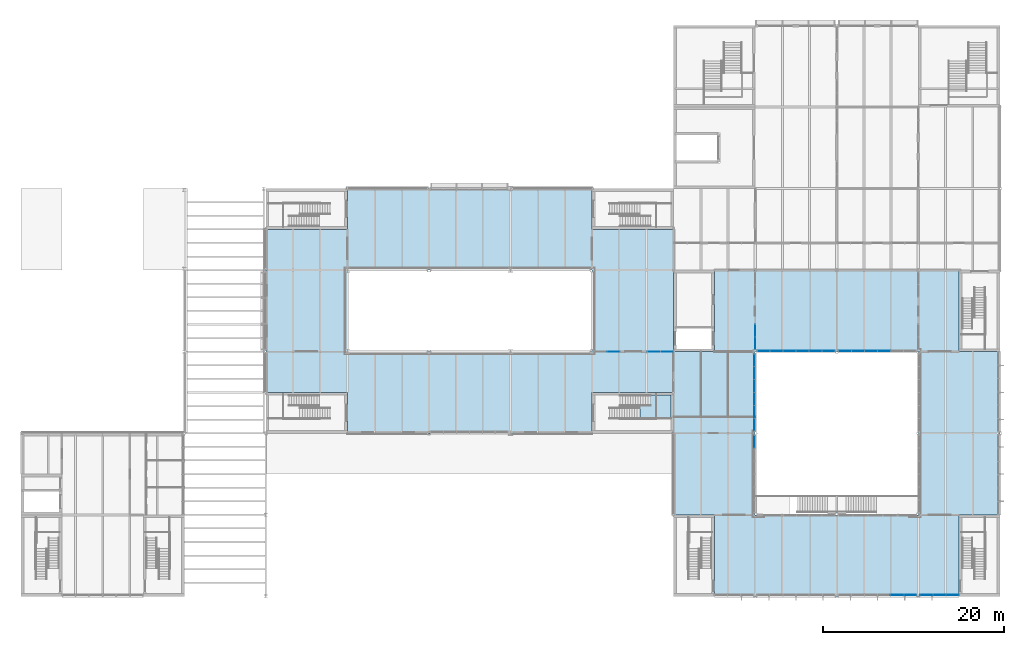
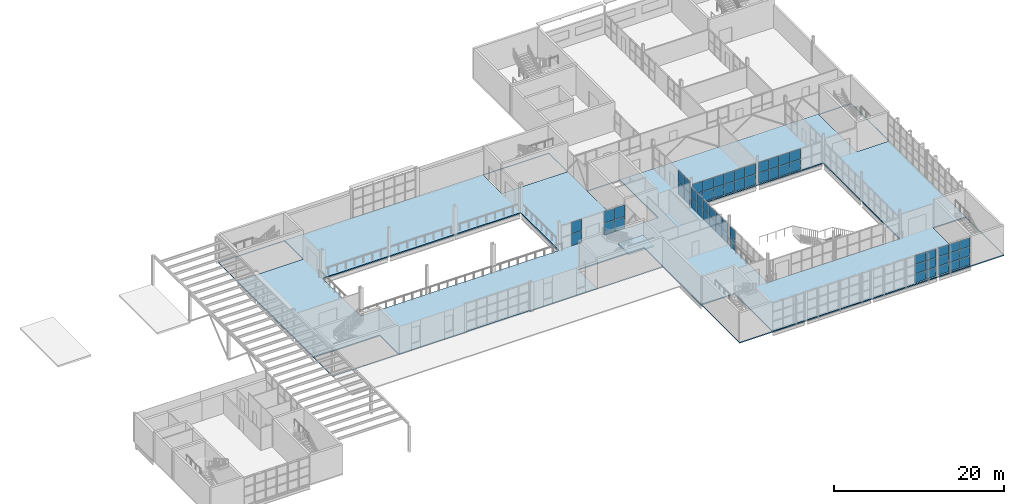
# One storey, part 29 of 57: 59 plates, 2 slabs, 10 elements without a shape of their own.
"""IFC4 building model written with IfcOpenShell, lengths in metres."""

from ifc_helpers import new_model, si_unit, direction, frame, origin, origin_2d, place, context, subcontext, project, spatial, polyline, rectangle, outline, extrude, material, layer, layer_set, type_object, element, aggregate, save


model = new_model("IFC4")

# Units and contexts
model_context = context("Model", 3, precision=1e-05, world=origin(), true_north=direction((0.0, 1.0)))
body_context = subcontext(model_context, "Body", "Model", "MODEL_VIEW")
ifc_project = project(units=[si_unit("LENGTHUNIT", "METRE"), si_unit("AREAUNIT", "SQUARE_METRE"), si_unit("VOLUMEUNIT", "CUBIC_METRE"), si_unit("PLANEANGLEUNIT", "RADIAN"), si_unit("MASSUNIT", "GRAM", prefix="KILO")], contexts=[model_context])

# Site, building, storey
site_placement = place(None, origin())
site = spatial("IfcSite", under=ifc_project, at=site_placement, CompositionType="ELEMENT")
building_placement = place(site_placement, origin())
building = spatial("IfcBuilding", under=site, at=building_placement, Name="Halyard Row Museum", CompositionType="ELEMENT")
storey_placement = place(building_placement, frame((0.0, 0.0, 5.0)))
storey = spatial("IfcBuildingStorey", under=building, at=storey_placement, Name="L01", CompositionType="ELEMENT", Elevation=5.0)

# Slab
ifc_material_1 = material(Name="Concrete 40 MPa", Category="concrete")
ifc_layer_1 = layer(ifc_material_1, 0.1650390625)
ifc_layer_set_1 = layer_set([ifc_layer_1], Name="Concrete 40 MPa")
slab_type_1 = type_object("IfcSlabType", Name="Composite floor slab", PredefinedType="FLOOR", material=ifc_layer_set_1)
slab_1_placement = place(storey_placement, frame((0.0, 0.0, -0.1650390625)))
element("IfcSlab", 1, at=slab_1_placement, inside=storey, type_object=slab_type_1, Name="Floor slab L01-02", PredefinedType="FLOOR", context=body_context, shape_type="SweptSolid", body=[
    extrude(outline(polyline([(27.0, 18.0), (72.0, 18.0), (72.0, 0.0), (108.0, 0.0), (108.0, 36.0), (72.0, 36.0), (72.0, 45.0), (27.0, 45.0), (27.0, 18.0)]), holes=[polyline([(81.0, 27.0), (99.0, 27.0), (99.0, 9.0), (81.0, 9.0), (81.0, 27.0)]), polyline([(36.0, 36.0), (63.0, 36.0), (63.0, 27.0), (36.0, 27.0), (36.0, 36.0)]), polyline([(27.0048828125, 18.0048828125), (27.0048828125, 22.4951171875), (35.9951171875, 22.4951171875), (35.9951171875, 18.0048828125), (27.0048828125, 18.0048828125)]), polyline([(63.0048828125, 18.0048828125), (63.0048828125, 22.4951171875), (71.9951171875, 22.4951171875), (71.9951171875, 18.0048828125), (63.0048828125, 18.0048828125)]), polyline([(27.0048828125, 40.5048828125), (27.0048828125, 44.9951171875), (35.9951171875, 44.9951171875), (35.9951171875, 40.5048828125), (27.0048828125, 40.5048828125)]), polyline([(63.0048828125, 40.5048828125), (63.0048828125, 44.9951171875), (71.9951171875, 44.9951171875), (71.9951171875, 40.5048828125), (63.0048828125, 40.5048828125)]), polyline([(76.4951171875, 0.0048828125), (72.0048828125, 0.0048828125), (72.0048828125, 8.9951171875), (76.4951171875, 8.9951171875), (76.4951171875, 0.0048828125)]), polyline([(103.5048828125, 0.0048828125), (103.5048828125, 8.9951171875), (107.9951171875, 8.9951171875), (107.9951171875, 0.0048828125), (103.5048828125, 0.0048828125)]), polyline([(72.0048828125, 27.0048828125), (72.0048828125, 35.9951171875), (76.4951171875, 35.9951171875), (76.4951171875, 27.0048828125), (72.0048828125, 27.0048828125)]), polyline([(103.5048828125, 27.0048828125), (103.5048828125, 35.9951171875), (107.9951171875, 35.9951171875), (107.9951171875, 27.0048828125), (103.5048828125, 27.0048828125)])]), origin(), (0.0, 0.0, 1.0), 0.1650390625),
])

# Curtain wall, plates
ifc_material_2 = material(Name="Double glazed unit, low-emissivity", Category="glass")
ifc_layer_2 = layer(ifc_material_2, 0.219970703125)
ifc_layer_set_2 = layer_set([ifc_layer_2], Name="Double glazed unit, low-emissivity")
curtain_wall_type_1 = type_object("IfcCurtainWallType", Name="Curtain wall unitised 220 deep", PredefinedType="NOTDEFINED", material=ifc_layer_set_2)
curtain_wall_1_placement = place(storey_placement, origin())
curtain_wall_1 = element("IfcCurtainWall", 2, at=curtain_wall_1_placement, inside=storey, type_object=curtain_wall_type_1, Name="Curtain wall CW026", PredefinedType="NOTDEFINED")
ifc_material_3 = material(Name="Double glazed unit, low-emissivity", Category="glass")
ifc_layer_3 = layer(ifc_material_3, 0.035888671875)
ifc_layer_set_3 = layer_set([ifc_layer_3], Name="Double glazed unit, low-emissivity")
plate_type_1 = type_object("IfcPlateType", Name="Curtain wall glazed panel CP3 36", PredefinedType="CURTAIN_PANEL", material=ifc_layer_set_3)
plate_1_placement = place(storey_placement, frame((96.675048828125, 0.159912109375, 0.06005859375), z_axis=(0.0, 0.0, 1.0), x_axis=(1.0, 0.0, 0.0)))
plate_1 = element("IfcPlate", 3, at=plate_1_placement, type_object=plate_type_1, Name="CW026 panel 5.1", PredefinedType="CURTAIN_PANEL", context=body_context, shape_type="SweptSolid", body=[
    extrude(rectangle(XDim=1.389892578125, YDim=0.035888671875, at=origin_2d()), origin(), (0.0, 0.0, 1.0), 1.2548828125),
])
plate_2_placement = place(storey_placement, frame((96.675048828125, 0.159912109375, 1.375), z_axis=(0.0, 0.0, 1.0), x_axis=(1.0, 0.0, 0.0)))
plate_2 = element("IfcPlate", 4, at=plate_2_placement, type_object=plate_type_1, Name="CW026 panel 5.2", PredefinedType="CURTAIN_PANEL", context=body_context, shape_type="SweptSolid", body=[
    extrude(rectangle(XDim=1.389892578125, YDim=0.035888671875, at=origin_2d()), origin(), (0.0, 0.0, 1.0), 1.284912109375),
])
plate_3_placement = place(storey_placement, frame((96.675048828125, 0.159912109375, 2.719970703125), z_axis=(0.0, 0.0, 1.0), x_axis=(1.0, 0.0, 0.0)))
plate_3 = element("IfcPlate", 5, at=plate_3_placement, type_object=plate_type_1, Name="CW026 panel 5.3", PredefinedType="CURTAIN_PANEL", context=body_context, shape_type="SweptSolid", body=[
    extrude(rectangle(XDim=1.389892578125, YDim=0.035888671875, at=origin_2d()), origin(), (0.0, 0.0, 1.0), 1.2548828125),
])
plate_4_placement = place(storey_placement, frame((98.110107421875, 0.159912109375, 0.06005859375), z_axis=(0.0, 0.0, 1.0), x_axis=(1.0, 0.0, 0.0)))
plate_4 = element("IfcPlate", 6, at=plate_4_placement, type_object=plate_type_1, Name="CW026 panel 6.1", PredefinedType="CURTAIN_PANEL", context=body_context, shape_type="SweptSolid", body=[
    extrude(rectangle(XDim=1.360107421875, YDim=0.035888671875, at=origin_2d()), origin(), (0.0, 0.0, 1.0), 1.2548828125),
])
plate_5_placement = place(storey_placement, frame((98.110107421875, 0.159912109375, 1.375), z_axis=(0.0, 0.0, 1.0), x_axis=(1.0, 0.0, 0.0)))
plate_5 = element("IfcPlate", 7, at=plate_5_placement, type_object=plate_type_1, Name="CW026 panel 6.2", PredefinedType="CURTAIN_PANEL", context=body_context, shape_type="SweptSolid", body=[
    extrude(rectangle(XDim=1.360107421875, YDim=0.035888671875, at=origin_2d()), origin(), (0.0, 0.0, 1.0), 1.284912109375),
])
plate_6_placement = place(storey_placement, frame((98.110107421875, 0.159912109375, 2.719970703125), z_axis=(0.0, 0.0, 1.0), x_axis=(1.0, 0.0, 0.0)))
plate_6 = element("IfcPlate", 8, at=plate_6_placement, type_object=plate_type_1, Name="CW026 panel 6.3", PredefinedType="CURTAIN_PANEL", context=body_context, shape_type="SweptSolid", body=[
    extrude(rectangle(XDim=1.360107421875, YDim=0.035888671875, at=origin_2d()), origin(), (0.0, 0.0, 1.0), 1.2548828125),
])
aggregate(curtain_wall_1, [plate_1, plate_2, plate_3, plate_4, plate_5, plate_6])

curtain_wall_2_placement = place(storey_placement, origin())
curtain_wall_2 = element("IfcCurtainWall", 9, at=curtain_wall_2_placement, inside=storey, type_object=curtain_wall_type_1, Name="Curtain wall CW027", PredefinedType="NOTDEFINED")
plate_7_placement = place(storey_placement, frame((99.889892578125, 0.159912109375, 0.06005859375), z_axis=(0.0, 0.0, 1.0), x_axis=(1.0, 0.0, 0.0)))
plate_7 = element("IfcPlate", 10, at=plate_7_placement, type_object=plate_type_1, Name="CW027 panel 1.1", PredefinedType="CURTAIN_PANEL", context=body_context, shape_type="SweptSolid", body=[
    extrude(rectangle(XDim=1.360107421875, YDim=0.035888671875, at=origin_2d()), origin(), (0.0, 0.0, 1.0), 1.2548828125),
])
plate_8_placement = place(storey_placement, frame((99.889892578125, 0.159912109375, 1.375), z_axis=(0.0, 0.0, 1.0), x_axis=(1.0, 0.0, 0.0)))
plate_8 = element("IfcPlate", 11, at=plate_8_placement, type_object=plate_type_1, Name="CW027 panel 1.2", PredefinedType="CURTAIN_PANEL", context=body_context, shape_type="SweptSolid", body=[
    extrude(rectangle(XDim=1.360107421875, YDim=0.035888671875, at=origin_2d()), origin(), (0.0, 0.0, 1.0), 1.284912109375),
])
plate_9_placement = place(storey_placement, frame((99.889892578125, 0.159912109375, 2.719970703125), z_axis=(0.0, 0.0, 1.0), x_axis=(1.0, 0.0, 0.0)))
plate_9 = element("IfcPlate", 12, at=plate_9_placement, type_object=plate_type_1, Name="CW027 panel 1.3", PredefinedType="CURTAIN_PANEL", context=body_context, shape_type="SweptSolid", body=[
    extrude(rectangle(XDim=1.360107421875, YDim=0.035888671875, at=origin_2d()), origin(), (0.0, 0.0, 1.0), 1.2548828125),
])
plate_10_placement = place(storey_placement, frame((101.324951171875, 0.159912109375, 0.06005859375), z_axis=(0.0, 0.0, 1.0), x_axis=(1.0, 0.0, 0.0)))
plate_10 = element("IfcPlate", 13, at=plate_10_placement, type_object=plate_type_1, Name="CW027 panel 2.1", PredefinedType="CURTAIN_PANEL", context=body_context, shape_type="SweptSolid", body=[
    extrude(rectangle(XDim=1.389892578125, YDim=0.035888671875, at=origin_2d()), origin(), (0.0, 0.0, 1.0), 1.2548828125),
])
plate_11_placement = place(storey_placement, frame((101.324951171875, 0.159912109375, 1.375), z_axis=(0.0, 0.0, 1.0), x_axis=(1.0, 0.0, 0.0)))
plate_11 = element("IfcPlate", 14, at=plate_11_placement, type_object=plate_type_1, Name="CW027 panel 2.2", PredefinedType="CURTAIN_PANEL", context=body_context, shape_type="SweptSolid", body=[
    extrude(rectangle(XDim=1.389892578125, YDim=0.035888671875, at=origin_2d()), origin(), (0.0, 0.0, 1.0), 1.284912109375),
])
plate_12_placement = place(storey_placement, frame((101.324951171875, 0.159912109375, 2.719970703125), z_axis=(0.0, 0.0, 1.0), x_axis=(1.0, 0.0, 0.0)))
plate_12 = element("IfcPlate", 15, at=plate_12_placement, type_object=plate_type_1, Name="CW027 panel 2.3", PredefinedType="CURTAIN_PANEL", context=body_context, shape_type="SweptSolid", body=[
    extrude(rectangle(XDim=1.389892578125, YDim=0.035888671875, at=origin_2d()), origin(), (0.0, 0.0, 1.0), 1.2548828125),
])
plate_13_placement = place(storey_placement, frame((102.760009765625, 0.159912109375, 0.06005859375), z_axis=(0.0, 0.0, 1.0), x_axis=(1.0, 0.0, 0.0)))
plate_13 = element("IfcPlate", 16, at=plate_13_placement, type_object=plate_type_1, Name="CW027 panel 3.1", PredefinedType="CURTAIN_PANEL", context=body_context, shape_type="SweptSolid", body=[
    extrude(rectangle(XDim=1.360107421875, YDim=0.035888671875, at=origin_2d()), origin(), (0.0, 0.0, 1.0), 1.2548828125),
])
plate_14_placement = place(storey_placement, frame((102.760009765625, 0.159912109375, 1.375), z_axis=(0.0, 0.0, 1.0), x_axis=(1.0, 0.0, 0.0)))
plate_14 = element("IfcPlate", 17, at=plate_14_placement, type_object=plate_type_1, Name="CW027 panel 3.2", PredefinedType="CURTAIN_PANEL", context=body_context, shape_type="SweptSolid", body=[
    extrude(rectangle(XDim=1.360107421875, YDim=0.035888671875, at=origin_2d()), origin(), (0.0, 0.0, 1.0), 1.284912109375),
])
plate_15_placement = place(storey_placement, frame((102.760009765625, 0.159912109375, 2.719970703125), z_axis=(0.0, 0.0, 1.0), x_axis=(1.0, 0.0, 0.0)))
plate_15 = element("IfcPlate", 18, at=plate_15_placement, type_object=plate_type_1, Name="CW027 panel 3.3", PredefinedType="CURTAIN_PANEL", context=body_context, shape_type="SweptSolid", body=[
    extrude(rectangle(XDim=1.360107421875, YDim=0.035888671875, at=origin_2d()), origin(), (0.0, 0.0, 1.0), 1.2548828125),
])
aggregate(curtain_wall_2, [plate_7, plate_8, plate_9, plate_10, plate_11, plate_12, plate_13, plate_14, plate_15])

ifc_material_4 = material(Name="Fire-resisting laminated glazing", Category="glass")
ifc_layer_4 = layer(ifc_material_4, 0.159912109375)
ifc_layer_set_4 = layer_set([ifc_layer_4], Name="Fire-resisting laminated glazing")
curtain_wall_type_2 = type_object("IfcCurtainWallType", Name="Curtain wall atrium screen 160 deep", PredefinedType="NOTDEFINED", material=ifc_layer_set_4)
curtain_wall_3_placement = place(storey_placement, origin())
curtain_wall_3 = element("IfcCurtainWall", 19, at=curtain_wall_3_placement, inside=storey, type_object=curtain_wall_type_2, Name="Curtain wall CW080", PredefinedType="NOTDEFINED")
ifc_material_5 = material(Name="Fire-resisting laminated glazing", Category="glass")
ifc_layer_5 = layer(ifc_material_5, 0.0400390625)
ifc_layer_set_5 = layer_set([ifc_layer_5], Name="Fire-resisting laminated glazing")
plate_type_2 = type_object("IfcPlateType", Name="Curtain wall glazed panel CP5 40", PredefinedType="CURTAIN_PANEL", material=ifc_layer_set_5)
plate_16_placement = place(storey_placement, frame((95.20556640625, 27.080078125, 0.06005859375), z_axis=(0.0, 0.0, 1.0), x_axis=(-1.0, 0.0, 0.0)))
plate_16 = element("IfcPlate", 20, at=plate_16_placement, type_object=plate_type_2, Name="CW080 panel 3.1", PredefinedType="CURTAIN_PANEL", context=body_context, shape_type="SweptSolid", body=[
    extrude(rectangle(XDim=1.37646484375, YDim=0.0400390625, at=origin_2d()), origin(), (0.0, 0.0, 1.0), 1.47216796875),
])
plate_17_placement = place(storey_placement, frame((95.20556640625, 27.080078125, 1.59228515625), z_axis=(0.0, 0.0, 1.0), x_axis=(-1.0, 0.0, 0.0)))
plate_17 = element("IfcPlate", 21, at=plate_17_placement, type_object=plate_type_2, Name="CW080 panel 3.2", PredefinedType="CURTAIN_PANEL", context=body_context, shape_type="SweptSolid", body=[
    extrude(rectangle(XDim=1.37646484375, YDim=0.0400390625, at=origin_2d()), origin(), (0.0, 0.0, 1.0), 1.47216796875),
])
plate_18_placement = place(storey_placement, frame((93.76904296875, 27.080078125, 0.06005859375), z_axis=(0.0, 0.0, 1.0), x_axis=(-1.0, 0.0, 0.0)))
plate_18 = element("IfcPlate", 22, at=plate_18_placement, type_object=plate_type_2, Name="CW080 panel 4.1", PredefinedType="CURTAIN_PANEL", context=body_context, shape_type="SweptSolid", body=[
    extrude(rectangle(XDim=1.37646484375, YDim=0.0400390625, at=origin_2d()), origin(), (0.0, 0.0, 1.0), 1.47216796875),
])
plate_19_placement = place(storey_placement, frame((93.76904296875, 27.080078125, 1.59228515625), z_axis=(0.0, 0.0, 1.0), x_axis=(-1.0, 0.0, 0.0)))
plate_19 = element("IfcPlate", 23, at=plate_19_placement, type_object=plate_type_2, Name="CW080 panel 4.2", PredefinedType="CURTAIN_PANEL", context=body_context, shape_type="SweptSolid", body=[
    extrude(rectangle(XDim=1.37646484375, YDim=0.0400390625, at=origin_2d()), origin(), (0.0, 0.0, 1.0), 1.47216796875),
])
plate_20_placement = place(storey_placement, frame((92.33251953125, 27.080078125, 0.06005859375), z_axis=(0.0, 0.0, 1.0), x_axis=(-1.0, 0.0, 0.0)))
plate_20 = element("IfcPlate", 24, at=plate_20_placement, type_object=plate_type_2, Name="CW080 panel 5.1", PredefinedType="CURTAIN_PANEL", context=body_context, shape_type="SweptSolid", body=[
    extrude(rectangle(XDim=1.37646484375, YDim=0.0400390625, at=origin_2d()), origin(), (0.0, 0.0, 1.0), 1.47216796875),
])
plate_21_placement = place(storey_placement, frame((92.33251953125, 27.080078125, 1.59228515625), z_axis=(0.0, 0.0, 1.0), x_axis=(-1.0, 0.0, 0.0)))
plate_21 = element("IfcPlate", 25, at=plate_21_placement, type_object=plate_type_2, Name="CW080 panel 5.2", PredefinedType="CURTAIN_PANEL", context=body_context, shape_type="SweptSolid", body=[
    extrude(rectangle(XDim=1.37646484375, YDim=0.0400390625, at=origin_2d()), origin(), (0.0, 0.0, 1.0), 1.47216796875),
])
plate_22_placement = place(storey_placement, frame((90.9111328125, 27.080078125, 0.06005859375), z_axis=(0.0, 0.0, 1.0), x_axis=(-1.0, 0.0, 0.0)))
plate_22 = element("IfcPlate", 26, at=plate_22_placement, type_object=plate_type_2, Name="CW080 panel 6.1", PredefinedType="CURTAIN_PANEL", context=body_context, shape_type="SweptSolid", body=[
    extrude(rectangle(XDim=1.346435546875, YDim=0.0400390625, at=origin_2d()), origin(), (0.0, 0.0, 1.0), 1.47216796875),
])
plate_23_placement = place(storey_placement, frame((90.9111328125, 27.080078125, 1.59228515625), z_axis=(0.0, 0.0, 1.0), x_axis=(-1.0, 0.0, 0.0)))
plate_23 = element("IfcPlate", 27, at=plate_23_placement, type_object=plate_type_2, Name="CW080 panel 6.2", PredefinedType="CURTAIN_PANEL", context=body_context, shape_type="SweptSolid", body=[
    extrude(rectangle(XDim=1.346435546875, YDim=0.0400390625, at=origin_2d()), origin(), (0.0, 0.0, 1.0), 1.47216796875),
])
aggregate(curtain_wall_3, [plate_16, plate_17, plate_18, plate_19, plate_20, plate_21, plate_22, plate_23])

curtain_wall_4_placement = place(storey_placement, origin())
curtain_wall_4 = element("IfcCurtainWall", 28, at=curtain_wall_4_placement, inside=storey, type_object=curtain_wall_type_2, Name="Curtain wall CW081", PredefinedType="NOTDEFINED")
plate_24_placement = place(storey_placement, frame((89.0888671875, 27.080078125, 0.06005859375), z_axis=(0.0, 0.0, 1.0), x_axis=(-1.0, 0.0, 0.0)))
plate_24 = element("IfcPlate", 29, at=plate_24_placement, type_object=plate_type_2, Name="CW081 panel 1.1", PredefinedType="CURTAIN_PANEL", context=body_context, shape_type="SweptSolid", body=[
    extrude(rectangle(XDim=1.346435546875, YDim=0.0400390625, at=origin_2d()), origin(), (0.0, 0.0, 1.0), 1.47216796875),
])
plate_25_placement = place(storey_placement, frame((89.0888671875, 27.080078125, 1.59228515625), z_axis=(0.0, 0.0, 1.0), x_axis=(-1.0, 0.0, 0.0)))
plate_25 = element("IfcPlate", 30, at=plate_25_placement, type_object=plate_type_2, Name="CW081 panel 1.2", PredefinedType="CURTAIN_PANEL", context=body_context, shape_type="SweptSolid", body=[
    extrude(rectangle(XDim=1.346435546875, YDim=0.0400390625, at=origin_2d()), origin(), (0.0, 0.0, 1.0), 1.47216796875),
])
plate_26_placement = place(storey_placement, frame((87.66748046875, 27.080078125, 0.06005859375), z_axis=(0.0, 0.0, 1.0), x_axis=(-1.0, 0.0, 0.0)))
plate_26 = element("IfcPlate", 31, at=plate_26_placement, type_object=plate_type_2, Name="CW081 panel 2.1", PredefinedType="CURTAIN_PANEL", context=body_context, shape_type="SweptSolid", body=[
    extrude(rectangle(XDim=1.37646484375, YDim=0.0400390625, at=origin_2d()), origin(), (0.0, 0.0, 1.0), 1.47216796875),
])
plate_27_placement = place(storey_placement, frame((87.66748046875, 27.080078125, 1.59228515625), z_axis=(0.0, 0.0, 1.0), x_axis=(-1.0, 0.0, 0.0)))
plate_27 = element("IfcPlate", 32, at=plate_27_placement, type_object=plate_type_2, Name="CW081 panel 2.2", PredefinedType="CURTAIN_PANEL", context=body_context, shape_type="SweptSolid", body=[
    extrude(rectangle(XDim=1.37646484375, YDim=0.0400390625, at=origin_2d()), origin(), (0.0, 0.0, 1.0), 1.47216796875),
])
plate_28_placement = place(storey_placement, frame((86.23095703125, 27.080078125, 0.06005859375), z_axis=(0.0, 0.0, 1.0), x_axis=(-1.0, 0.0, 0.0)))
plate_28 = element("IfcPlate", 33, at=plate_28_placement, type_object=plate_type_2, Name="CW081 panel 3.1", PredefinedType="CURTAIN_PANEL", context=body_context, shape_type="SweptSolid", body=[
    extrude(rectangle(XDim=1.37646484375, YDim=0.0400390625, at=origin_2d()), origin(), (0.0, 0.0, 1.0), 1.47216796875),
])
plate_29_placement = place(storey_placement, frame((86.23095703125, 27.080078125, 1.59228515625), z_axis=(0.0, 0.0, 1.0), x_axis=(-1.0, 0.0, 0.0)))
plate_29 = element("IfcPlate", 34, at=plate_29_placement, type_object=plate_type_2, Name="CW081 panel 3.2", PredefinedType="CURTAIN_PANEL", context=body_context, shape_type="SweptSolid", body=[
    extrude(rectangle(XDim=1.37646484375, YDim=0.0400390625, at=origin_2d()), origin(), (0.0, 0.0, 1.0), 1.47216796875),
])
plate_30_placement = place(storey_placement, frame((84.79443359375, 27.080078125, 0.06005859375), z_axis=(0.0, 0.0, 1.0), x_axis=(-1.0, 0.0, 0.0)))
plate_30 = element("IfcPlate", 35, at=plate_30_placement, type_object=plate_type_2, Name="CW081 panel 4.1", PredefinedType="CURTAIN_PANEL", context=body_context, shape_type="SweptSolid", body=[
    extrude(rectangle(XDim=1.37646484375, YDim=0.0400390625, at=origin_2d()), origin(), (0.0, 0.0, 1.0), 1.47216796875),
])
plate_31_placement = place(storey_placement, frame((84.79443359375, 27.080078125, 1.59228515625), z_axis=(0.0, 0.0, 1.0), x_axis=(-1.0, 0.0, 0.0)))
plate_31 = element("IfcPlate", 36, at=plate_31_placement, type_object=plate_type_2, Name="CW081 panel 4.2", PredefinedType="CURTAIN_PANEL", context=body_context, shape_type="SweptSolid", body=[
    extrude(rectangle(XDim=1.37646484375, YDim=0.0400390625, at=origin_2d()), origin(), (0.0, 0.0, 1.0), 1.47216796875),
])
plate_32_placement = place(storey_placement, frame((83.35791015625, 27.080078125, 0.06005859375), z_axis=(0.0, 0.0, 1.0), x_axis=(-1.0, 0.0, 0.0)))
plate_32 = element("IfcPlate", 37, at=plate_32_placement, type_object=plate_type_2, Name="CW081 panel 5.1", PredefinedType="CURTAIN_PANEL", context=body_context, shape_type="SweptSolid", body=[
    extrude(rectangle(XDim=1.37646484375, YDim=0.0400390625, at=origin_2d()), origin(), (0.0, 0.0, 1.0), 1.47216796875),
])
plate_33_placement = place(storey_placement, frame((83.35791015625, 27.080078125, 1.59228515625), z_axis=(0.0, 0.0, 1.0), x_axis=(-1.0, 0.0, 0.0)))
plate_33 = element("IfcPlate", 38, at=plate_33_placement, type_object=plate_type_2, Name="CW081 panel 5.2", PredefinedType="CURTAIN_PANEL", context=body_context, shape_type="SweptSolid", body=[
    extrude(rectangle(XDim=1.37646484375, YDim=0.0400390625, at=origin_2d()), origin(), (0.0, 0.0, 1.0), 1.47216796875),
])
plate_34_placement = place(storey_placement, frame((81.9365234375, 27.080078125, 0.06005859375), z_axis=(0.0, 0.0, 1.0), x_axis=(-1.0, 0.0, 0.0)))
plate_34 = element("IfcPlate", 39, at=plate_34_placement, type_object=plate_type_2, Name="CW081 panel 6.1", PredefinedType="CURTAIN_PANEL", context=body_context, shape_type="SweptSolid", body=[
    extrude(rectangle(XDim=1.346435546875, YDim=0.0400390625, at=origin_2d()), origin(), (0.0, 0.0, 1.0), 1.47216796875),
])
plate_35_placement = place(storey_placement, frame((81.9365234375, 27.080078125, 1.59228515625), z_axis=(0.0, 0.0, 1.0), x_axis=(-1.0, 0.0, 0.0)))
plate_35 = element("IfcPlate", 40, at=plate_35_placement, type_object=plate_type_2, Name="CW081 panel 6.2", PredefinedType="CURTAIN_PANEL", context=body_context, shape_type="SweptSolid", body=[
    extrude(rectangle(XDim=1.346435546875, YDim=0.0400390625, at=origin_2d()), origin(), (0.0, 0.0, 1.0), 1.47216796875),
])
aggregate(curtain_wall_4, [plate_24, plate_25, plate_26, plate_27, plate_28, plate_29, plate_30, plate_31, plate_32, plate_33, plate_34, plate_35])

curtain_wall_5_placement = place(storey_placement, origin())
curtain_wall_5 = element("IfcCurtainWall", 41, at=curtain_wall_5_placement, inside=storey, type_object=curtain_wall_type_2, Name="Curtain wall CW082", PredefinedType="NOTDEFINED")
plate_36_placement = place(storey_placement, frame((80.919921875, 26.065673828125, 0.06005859375), z_axis=(0.0, 0.0, 1.0), x_axis=(0.0, -1.0, 0.0)))
plate_36 = element("IfcPlate", 42, at=plate_36_placement, type_object=plate_type_2, Name="CW082 panel 1.1", PredefinedType="CURTAIN_PANEL", context=body_context, shape_type="SweptSolid", body=[
    extrude(rectangle(XDim=1.34228515625, YDim=0.0400390625, at=origin_2d()), origin(), (0.0, 0.0, 1.0), 1.402587890625),
])
plate_37_placement = place(storey_placement, frame((80.919921875, 26.065673828125, 1.5224609375), z_axis=(0.0, 0.0, 1.0), x_axis=(0.0, -1.0, 0.0)))
plate_37 = element("IfcPlate", 43, at=plate_37_placement, type_object=plate_type_2, Name="CW082 panel 1.2", PredefinedType="CURTAIN_PANEL", context=body_context, shape_type="SweptSolid", body=[
    extrude(rectangle(XDim=1.34228515625, YDim=0.0400390625, at=origin_2d()), origin(), (0.0, 0.0, 1.0), 1.402587890625),
])
plate_38_placement = place(storey_placement, frame((80.919921875, 24.6484375, 0.06005859375), z_axis=(0.0, 0.0, 1.0), x_axis=(0.0, -1.0, 0.0)))
plate_38 = element("IfcPlate", 44, at=plate_38_placement, type_object=plate_type_2, Name="CW082 panel 2.1", PredefinedType="CURTAIN_PANEL", context=body_context, shape_type="SweptSolid", body=[
    extrude(rectangle(XDim=1.372314453125, YDim=0.0400390625, at=origin_2d()), origin(), (0.0, 0.0, 1.0), 1.402587890625),
])
plate_39_placement = place(storey_placement, frame((80.919921875, 24.6484375, 1.5224609375), z_axis=(0.0, 0.0, 1.0), x_axis=(0.0, -1.0, 0.0)))
plate_39 = element("IfcPlate", 45, at=plate_39_placement, type_object=plate_type_2, Name="CW082 panel 2.2", PredefinedType="CURTAIN_PANEL", context=body_context, shape_type="SweptSolid", body=[
    extrude(rectangle(XDim=1.372314453125, YDim=0.0400390625, at=origin_2d()), origin(), (0.0, 0.0, 1.0), 1.402587890625),
])
plate_40_placement = place(storey_placement, frame((80.919921875, 23.216064453125, 0.06005859375), z_axis=(0.0, 0.0, 1.0), x_axis=(0.0, -1.0, 0.0)))
plate_40 = element("IfcPlate", 46, at=plate_40_placement, type_object=plate_type_2, Name="CW082 panel 3.1", PredefinedType="CURTAIN_PANEL", context=body_context, shape_type="SweptSolid", body=[
    extrude(rectangle(XDim=1.372314453125, YDim=0.0400390625, at=origin_2d()), origin(), (0.0, 0.0, 1.0), 1.402587890625),
])
plate_41_placement = place(storey_placement, frame((80.919921875, 23.216064453125, 1.5224609375), z_axis=(0.0, 0.0, 1.0), x_axis=(0.0, -1.0, 0.0)))
plate_41 = element("IfcPlate", 47, at=plate_41_placement, type_object=plate_type_2, Name="CW082 panel 3.2", PredefinedType="CURTAIN_PANEL", context=body_context, shape_type="SweptSolid", body=[
    extrude(rectangle(XDim=1.372314453125, YDim=0.0400390625, at=origin_2d()), origin(), (0.0, 0.0, 1.0), 1.402587890625),
])
plate_42_placement = place(storey_placement, frame((80.919921875, 21.783935546875, 0.06005859375), z_axis=(0.0, 0.0, 1.0), x_axis=(0.0, -1.0, 0.0)))
plate_42 = element("IfcPlate", 48, at=plate_42_placement, type_object=plate_type_2, Name="CW082 panel 4.1", PredefinedType="CURTAIN_PANEL", context=body_context, shape_type="SweptSolid", body=[
    extrude(rectangle(XDim=1.372314453125, YDim=0.0400390625, at=origin_2d()), origin(), (0.0, 0.0, 1.0), 1.402587890625),
])
plate_43_placement = place(storey_placement, frame((80.919921875, 21.783935546875, 1.5224609375), z_axis=(0.0, 0.0, 1.0), x_axis=(0.0, -1.0, 0.0)))
plate_43 = element("IfcPlate", 49, at=plate_43_placement, type_object=plate_type_2, Name="CW082 panel 4.2", PredefinedType="CURTAIN_PANEL", context=body_context, shape_type="SweptSolid", body=[
    extrude(rectangle(XDim=1.372314453125, YDim=0.0400390625, at=origin_2d()), origin(), (0.0, 0.0, 1.0), 1.402587890625),
])
plate_44_placement = place(storey_placement, frame((80.919921875, 20.3515625, 0.06005859375), z_axis=(0.0, 0.0, 1.0), x_axis=(0.0, -1.0, 0.0)))
plate_44 = element("IfcPlate", 50, at=plate_44_placement, type_object=plate_type_2, Name="CW082 panel 5.1", PredefinedType="CURTAIN_PANEL", context=body_context, shape_type="SweptSolid", body=[
    extrude(rectangle(XDim=1.372314453125, YDim=0.0400390625, at=origin_2d()), origin(), (0.0, 0.0, 1.0), 1.402587890625),
])
plate_45_placement = place(storey_placement, frame((80.919921875, 20.3515625, 1.5224609375), z_axis=(0.0, 0.0, 1.0), x_axis=(0.0, -1.0, 0.0)))
plate_45 = element("IfcPlate", 51, at=plate_45_placement, type_object=plate_type_2, Name="CW082 panel 5.2", PredefinedType="CURTAIN_PANEL", context=body_context, shape_type="SweptSolid", body=[
    extrude(rectangle(XDim=1.372314453125, YDim=0.0400390625, at=origin_2d()), origin(), (0.0, 0.0, 1.0), 1.402587890625),
])
plate_46_placement = place(storey_placement, frame((80.919921875, 18.934326171875, 0.06005859375), z_axis=(0.0, 0.0, 1.0), x_axis=(0.0, -1.0, 0.0)))
plate_46 = element("IfcPlate", 52, at=plate_46_placement, type_object=plate_type_2, Name="CW082 panel 6.1", PredefinedType="CURTAIN_PANEL", context=body_context, shape_type="SweptSolid", body=[
    extrude(rectangle(XDim=1.34228515625, YDim=0.0400390625, at=origin_2d()), origin(), (0.0, 0.0, 1.0), 1.402587890625),
])
plate_47_placement = place(storey_placement, frame((80.919921875, 18.934326171875, 1.5224609375), z_axis=(0.0, 0.0, 1.0), x_axis=(0.0, -1.0, 0.0)))
plate_47 = element("IfcPlate", 53, at=plate_47_placement, type_object=plate_type_2, Name="CW082 panel 6.2", PredefinedType="CURTAIN_PANEL", context=body_context, shape_type="SweptSolid", body=[
    extrude(rectangle(XDim=1.34228515625, YDim=0.0400390625, at=origin_2d()), origin(), (0.0, 0.0, 1.0), 1.402587890625),
])
aggregate(curtain_wall_5, [plate_36, plate_37, plate_38, plate_39, plate_40, plate_41, plate_42, plate_43, plate_44, plate_45, plate_46, plate_47])

curtain_wall_6_placement = place(storey_placement, origin())
curtain_wall_6 = element("IfcCurtainWall", 54, at=curtain_wall_6_placement, inside=storey, type_object=curtain_wall_type_2, Name="Curtain wall CW083", PredefinedType="NOTDEFINED")
plate_48_placement = place(storey_placement, frame((80.919921875, 17.065673828125, 0.06005859375), z_axis=(0.0, 0.0, 1.0), x_axis=(0.0, -1.0, 0.0)))
plate_48 = element("IfcPlate", 55, at=plate_48_placement, type_object=plate_type_2, Name="CW083 panel 1.1", PredefinedType="CURTAIN_PANEL", context=body_context, shape_type="SweptSolid", body=[
    extrude(rectangle(XDim=1.34228515625, YDim=0.0400390625, at=origin_2d()), origin(), (0.0, 0.0, 1.0), 1.402587890625),
])
plate_49_placement = place(storey_placement, frame((80.919921875, 17.065673828125, 1.5224609375), z_axis=(0.0, 0.0, 1.0), x_axis=(0.0, -1.0, 0.0)))
plate_49 = element("IfcPlate", 56, at=plate_49_placement, type_object=plate_type_2, Name="CW083 panel 1.2", PredefinedType="CURTAIN_PANEL", context=body_context, shape_type="SweptSolid", body=[
    extrude(rectangle(XDim=1.34228515625, YDim=0.0400390625, at=origin_2d()), origin(), (0.0, 0.0, 1.0), 1.402587890625),
])
aggregate(curtain_wall_6, [plate_48, plate_49])

curtain_wall_7_placement = place(storey_placement, origin())
curtain_wall_7 = element("IfcCurtainWall", 57, at=curtain_wall_7_placement, inside=storey, type_object=curtain_wall_type_2, Name="Curtain wall CW142", PredefinedType="NOTDEFINED")
plate_50_placement = place(storey_placement, frame((65.360107421875, 27.0, 0.06005859375), z_axis=(0.0, 0.0, 1.0), x_axis=(1.0, 0.0, 0.0)))
plate_50 = element("IfcPlate", 58, at=plate_50_placement, type_object=plate_type_2, Name="CW142 panel 2.1", PredefinedType="CURTAIN_PANEL", context=body_context, shape_type="SweptSolid", body=[
    extrude(rectangle(XDim=1.360107421875, YDim=0.0400390625, at=origin_2d()), origin(), (0.0, 0.0, 1.0), 1.660888671875),
])
plate_51_placement = place(storey_placement, frame((65.360107421875, 27.0, 1.78125), z_axis=(0.0, 0.0, 1.0), x_axis=(1.0, 0.0, 0.0)))
plate_51 = element("IfcPlate", 59, at=plate_51_placement, type_object=plate_type_2, Name="CW142 panel 2.2", PredefinedType="CURTAIN_PANEL", context=body_context, shape_type="SweptSolid", body=[
    extrude(rectangle(XDim=1.360107421875, YDim=0.0400390625, at=origin_2d()), origin(), (0.0, 0.0, 1.0), 1.660888671875),
])
aggregate(curtain_wall_7, [plate_50, plate_51])

curtain_wall_8_placement = place(storey_placement, origin())
curtain_wall_8 = element("IfcCurtainWall", 60, at=curtain_wall_8_placement, inside=storey, type_object=curtain_wall_type_2, Name="Curtain wall CW143", PredefinedType="NOTDEFINED")
plate_52_placement = place(storey_placement, frame((69.840087890625, 27.0, 0.06005859375), z_axis=(0.0, 0.0, 1.0), x_axis=(1.0, 0.0, 0.0)))
plate_52 = element("IfcPlate", 61, at=plate_52_placement, type_object=plate_type_2, Name="CW143 panel 1.1", PredefinedType="CURTAIN_PANEL", context=body_context, shape_type="SweptSolid", body=[
    extrude(rectangle(XDim=1.360107421875, YDim=0.0400390625, at=origin_2d()), origin(), (0.0, 0.0, 1.0), 1.660888671875),
])
plate_53_placement = place(storey_placement, frame((69.840087890625, 27.0, 1.78125), z_axis=(0.0, 0.0, 1.0), x_axis=(1.0, 0.0, 0.0)))
plate_53 = element("IfcPlate", 62, at=plate_53_placement, type_object=plate_type_2, Name="CW143 panel 1.2", PredefinedType="CURTAIN_PANEL", context=body_context, shape_type="SweptSolid", body=[
    extrude(rectangle(XDim=1.360107421875, YDim=0.0400390625, at=origin_2d()), origin(), (0.0, 0.0, 1.0), 1.660888671875),
])
plate_54_placement = place(storey_placement, frame((71.260009765625, 27.0, 0.06005859375), z_axis=(0.0, 0.0, 1.0), x_axis=(1.0, 0.0, 0.0)))
plate_54 = element("IfcPlate", 63, at=plate_54_placement, type_object=plate_type_2, Name="CW143 panel 2.1", PredefinedType="CURTAIN_PANEL", context=body_context, shape_type="SweptSolid", body=[
    extrude(rectangle(XDim=1.360107421875, YDim=0.0400390625, at=origin_2d()), origin(), (0.0, 0.0, 1.0), 1.660888671875),
])
plate_55_placement = place(storey_placement, frame((71.260009765625, 27.0, 1.78125), z_axis=(0.0, 0.0, 1.0), x_axis=(1.0, 0.0, 0.0)))
plate_55 = element("IfcPlate", 64, at=plate_55_placement, type_object=plate_type_2, Name="CW143 panel 2.2", PredefinedType="CURTAIN_PANEL", context=body_context, shape_type="SweptSolid", body=[
    extrude(rectangle(XDim=1.360107421875, YDim=0.0400390625, at=origin_2d()), origin(), (0.0, 0.0, 1.0), 1.660888671875),
])
aggregate(curtain_wall_8, [plate_52, plate_53, plate_54, plate_55])

curtain_wall_9_placement = place(storey_placement, origin())
curtain_wall_9 = element("IfcCurtainWall", 65, at=curtain_wall_9_placement, inside=storey, type_object=curtain_wall_type_2, Name="Curtain wall CW144", PredefinedType="NOTDEFINED")
plate_56_placement = place(storey_placement, frame((81.0, 27.92236328125, 0.06005859375), z_axis=(0.0, 0.0, 1.0), x_axis=(0.0, 1.0, 0.0)))
plate_56 = element("IfcPlate", 66, at=plate_56_placement, type_object=plate_type_2, Name="CW144 panel 1.1", PredefinedType="CURTAIN_PANEL", context=body_context, shape_type="SweptSolid", body=[
    extrude(rectangle(XDim=1.318359375, YDim=0.0400390625, at=origin_2d()), origin(), (0.0, 0.0, 1.0), 1.660888671875),
])
plate_57_placement = place(storey_placement, frame((81.0, 27.92236328125, 1.78125), z_axis=(0.0, 0.0, 1.0), x_axis=(0.0, 1.0, 0.0)))
plate_57 = element("IfcPlate", 67, at=plate_57_placement, type_object=plate_type_2, Name="CW144 panel 1.2", PredefinedType="CURTAIN_PANEL", context=body_context, shape_type="SweptSolid", body=[
    extrude(rectangle(XDim=1.318359375, YDim=0.0400390625, at=origin_2d()), origin(), (0.0, 0.0, 1.0), 1.660888671875),
])
plate_58_placement = place(storey_placement, frame((81.0, 29.300537109375, 0.06005859375), z_axis=(0.0, 0.0, 1.0), x_axis=(0.0, 1.0, 0.0)))
plate_58 = element("IfcPlate", 68, at=plate_58_placement, type_object=plate_type_2, Name="CW144 panel 2.1", PredefinedType="CURTAIN_PANEL", context=body_context, shape_type="SweptSolid", body=[
    extrude(rectangle(XDim=1.318359375, YDim=0.0400390625, at=origin_2d()), origin(), (0.0, 0.0, 1.0), 1.660888671875),
])
plate_59_placement = place(storey_placement, frame((81.0, 29.300537109375, 1.78125), z_axis=(0.0, 0.0, 1.0), x_axis=(0.0, 1.0, 0.0)))
plate_59 = element("IfcPlate", 69, at=plate_59_placement, type_object=plate_type_2, Name="CW144 panel 2.2", PredefinedType="CURTAIN_PANEL", context=body_context, shape_type="SweptSolid", body=[
    extrude(rectangle(XDim=1.318359375, YDim=0.0400390625, at=origin_2d()), origin(), (0.0, 0.0, 1.0), 1.660888671875),
])
aggregate(curtain_wall_9, [plate_56, plate_57, plate_58, plate_59])

# Stair, slab
ifc_material_6 = material(Name="Concrete 40 MPa", Category="concrete")
stair_type = type_object("IfcStairType", Name="Exit stair two flights 1200", PredefinedType="HALF_TURN_STAIR", material=ifc_material_6)
stair_placement = place(storey_placement, origin())
stair = element("IfcStair", 70, at=stair_placement, inside=storey, type_object=stair_type, Name="Exit stair K1C L01", PredefinedType="HALF_TURN_STAIR")
ifc_material_7 = material(Name="Concrete 40 MPa", Category="concrete")
ifc_layer_6 = layer(ifc_material_7, 0.199951171875)
ifc_layer_set_6 = layer_set([ifc_layer_6], Name="Concrete 40 MPa")
slab_type_2 = type_object("IfcSlabType", Name="Exit stair landing 200", PredefinedType="LANDING", material=ifc_layer_set_6)
slab_2_placement = place(storey_placement, frame((0.0, 0.0, 1.89990234375)))
slab_2 = element("IfcSlab", 71, at=slab_2_placement, type_object=slab_type_2, Name="STK1C-L01 landing 1", PredefinedType="LANDING", context=body_context, shape_type="SweptSolid", body=[
    extrude(outline(polyline([(68.260009765625, 19.64990234375), (68.260009765625, 22.199951171875), (71.699951171875, 22.199951171875), (71.699951171875, 19.64990234375), (68.260009765625, 19.64990234375)])), origin(), (0.0, 0.0, 1.0), 0.2001953125),
])
aggregate(stair, [slab_2])

save(model, "model.ifc")
